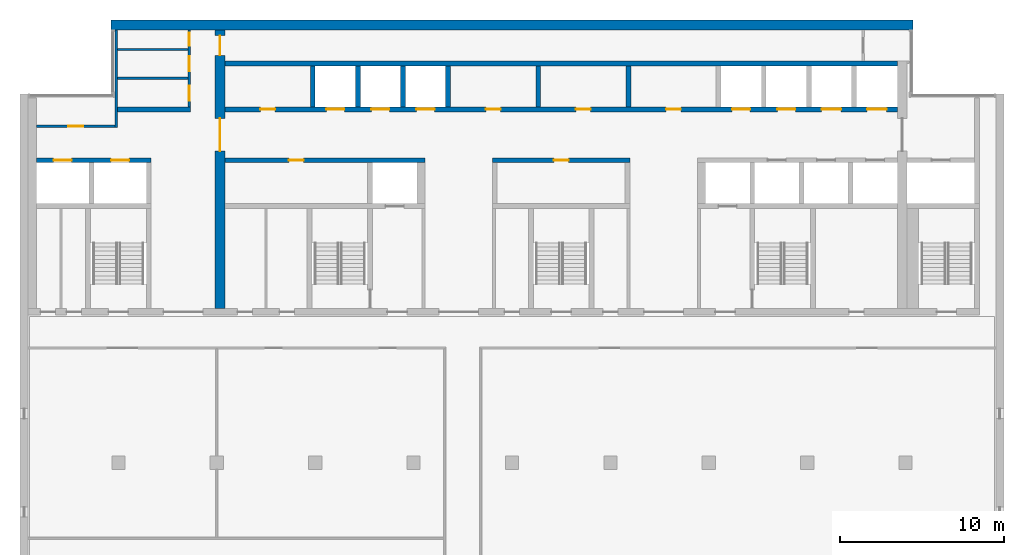
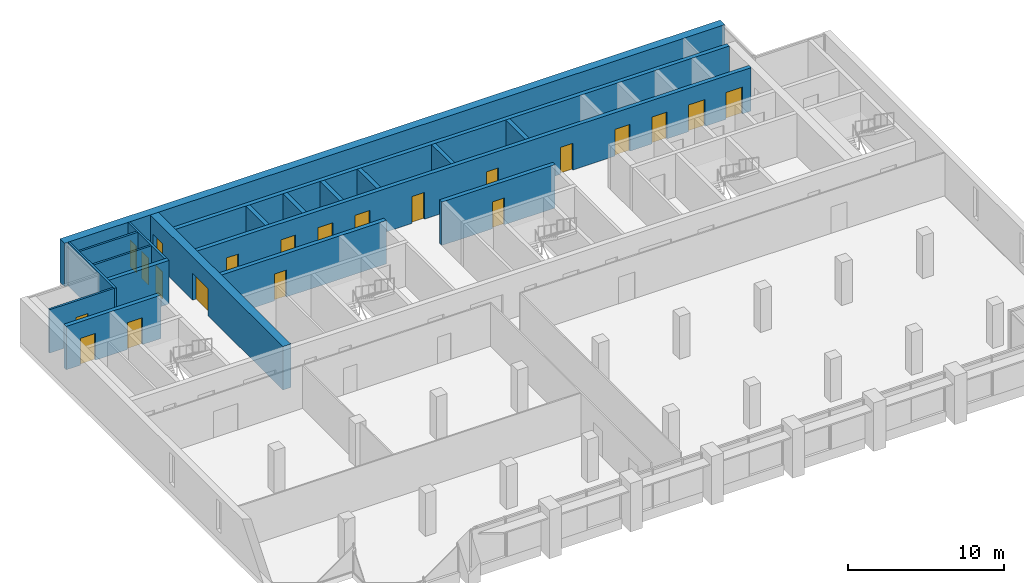
# One storey, part 10 of 14: 21 doors, 19 walls, 21 openings.
"""IFC4 building model written with IfcOpenShell, lengths in metres."""

import ifcopenshell
import ifcopenshell.guid

model = None  # the IFC model being written
_history = None  # IfcOwnerHistory: only IFC2X3 demands one
_inside = {}  # id of a spatial element -> (the spatial element, [elements in it])
_under = {}  # id of a project, library or spatial element -> (it, [spatial elements below it])
_declared = {}  # id of a project -> (the project, [libraries it declares])
_typed = {}  # id of a type object -> (the type object, [elements of that type])
_made_of = {}  # id of a material, layer set ... -> (it, [elements and type objects made of it])


def new_model(schema):
    """Start an empty IFC model of exactly this schema.

    Asked for "IFC4X3", IfcOpenShell would pick the latest addendum, in which some entities
    have other attributes; the version numbers below select the first issue.
    IFC2X3 requires an IfcOwnerHistory on every rooted entity: one is made here for all.
    """
    global model, _history
    if schema == "IFC4X3":
        model = ifcopenshell.file(schema_version=(4, 3, 0, 0))
    else:
        model = ifcopenshell.file(schema=schema)
    _inside.clear()
    _under.clear()
    _declared.clear()
    _typed.clear()
    _made_of.clear()
    _history = None
    if model.schema == "IFC2X3":
        org = make("IfcOrganization", Name="unknown")
        user = make(
            "IfcPersonAndOrganization",
            ThePerson=make("IfcPerson", FamilyName="unknown"),
            TheOrganization=org,
        )
        app = make(
            "IfcApplication",
            ApplicationDeveloper=org,
            Version="unknown",
            ApplicationFullName="unknown",
            ApplicationIdentifier="unknown",
        )
        _history = make(
            "IfcOwnerHistory",
            OwningUser=user,
            OwningApplication=app,
            ChangeAction="ADDED",
            CreationDate=0,
        )
    return model


def make(cls, **values):
    """One entity of the class cls with the attributes given. An attribute that is None is left unset."""
    return model.create_entity(
        cls, **{name: value for name, value in values.items() if value is not None}
    )


def rooted(cls, **values):
    """An entity with a GlobalId (a new one), such as an element, a storey or a relation."""
    return make(cls, GlobalId=ifcopenshell.guid.new(), OwnerHistory=_history, **values)


def si_unit(unit_type, name, prefix=None):
    """IfcSIUnit, for example si_unit("LENGTHUNIT", "METRE", prefix="MILLI")."""
    return make("IfcSIUnit", UnitType=unit_type, Prefix=prefix, Name=name)


def assignment(units):
    """IfcUnitAssignment: the units of a project."""
    return None if units is None else make("IfcUnitAssignment", Units=units)


def point(xyz):
    """IfcCartesianPoint."""
    return None if xyz is None else make("IfcCartesianPoint", Coordinates=xyz)


def direction(xyz):
    """IfcDirection."""
    return None if xyz is None else make("IfcDirection", DirectionRatios=xyz)


def frame(location, z_axis=None, x_axis=None):
    """IfcAxis2Placement3D, a coordinate frame: its origin and axes. An axis left out is left unset."""
    return make(
        "IfcAxis2Placement3D",
        Location=point(location),
        Axis=direction(z_axis),
        RefDirection=direction(x_axis),
    )


def frame_2d(location, x_axis=None):
    """IfcAxis2Placement2D, a coordinate frame in the plane: its origin and x axis."""
    return make(
        "IfcAxis2Placement2D", Location=point(location), RefDirection=direction(x_axis)
    )


def origin():
    """The frame at (0, 0, 0) with its axes left unset."""
    return frame((0.0, 0.0, 0.0))


def place(relative_to, where):
    """IfcLocalPlacement: puts the frame where relative to a parent placement (None: the world)."""
    return make(
        "IfcLocalPlacement", PlacementRelTo=relative_to, RelativePlacement=where
    )


def context(
    kind, dimensions, precision=None, world=None, true_north=None, identifier=None
):
    """IfcGeometricRepresentationContext, for example the 3D "Model" context."""
    return make(
        "IfcGeometricRepresentationContext",
        ContextIdentifier=identifier,
        ContextType=kind,
        CoordinateSpaceDimension=dimensions,
        Precision=precision,
        WorldCoordinateSystem=world,
        TrueNorth=true_north,
    )


def subcontext(parent, identifier, kind, view, scale=None):
    """IfcGeometricRepresentationSubContext, for example "Body" below "Model"."""
    return make(
        "IfcGeometricRepresentationSubContext",
        ContextIdentifier=identifier,
        ContextType=kind,
        ParentContext=parent,
        TargetScale=scale,
        TargetView=view,
    )


def project(units=None, contexts=None):
    """IfcProject with its units and contexts."""
    return rooted(
        "IfcProject",
        Name="project",
        RepresentationContexts=contexts,
        UnitsInContext=assignment(units),
    )


def spatial(cls, under=None, at=None, **own):
    """A site, building, storey or space (cls), placed at a placement, below another one or the project."""
    s = rooted(cls, ObjectPlacement=at, **own)
    if under is not None:
        _under.setdefault(under.id(), (under, []))[1].append(s)
    return s


def profile(cls, at=None, kind="AREA", **sizes):
    """A parametric profile (cls). Its sizes go by their IFC names, for example OverallWidth=200.0."""
    return make(cls, ProfileType=kind, Position=at, **sizes)


def rectangle(**sizes):
    """IfcRectangleProfileDef."""
    return profile("IfcRectangleProfileDef", **sizes)


def extrude(swept, where, along, depth):
    """IfcExtrudedAreaSolid: the profile swept, set in the frame where, extruded along a direction by depth."""
    return make(
        "IfcExtrudedAreaSolid",
        SweptArea=swept,
        Position=where,
        ExtrudedDirection=direction(along),
        Depth=depth,
    )


def shape(context_of_items, identifier, shape_type, items):
    """IfcShapeRepresentation: the items that make up one representation, for example the "Body"."""
    return make(
        "IfcShapeRepresentation",
        ContextOfItems=context_of_items,
        RepresentationIdentifier=identifier,
        RepresentationType=shape_type,
        Items=items,
    )


def material(Name=None, Category=None):
    """IfcMaterial."""
    return make("IfcMaterial", Name=Name, Category=Category)


def layer(
    of_material, thickness, ventilated=None, Name=None, Category=None, Priority=None
):
    """IfcMaterialLayer: one layer of a wall or slab, of a material (None: an air gap)."""
    return make(
        "IfcMaterialLayer",
        Material=of_material,
        LayerThickness=thickness,
        IsVentilated=ventilated,
        Name=Name,
        Category=Category,
        Priority=Priority,
    )


def layer_set(layers, Name=None):
    """IfcMaterialLayerSet."""
    return make("IfcMaterialLayerSet", MaterialLayers=layers, LayerSetName=Name)


def made_of(thing, what):
    """Note that an element or type object is made of a material, layer set ...; save() writes the relation."""
    if what is not None:
        _made_of.setdefault(what.id(), (what, []))[1].append(thing)
    return thing


def type_object(cls, material=None, **own):
    """A type object (cls), such as IfcWallType, which elements share."""
    return made_of(rooted(cls, **own), material)


def element(
    cls,
    number,
    at=None,
    inside=None,
    cuts=None,
    type_object=None,
    material=None,
    context=None,
    identifier="Body",
    shape_type=None,
    held_by="IfcProductDefinitionShape",
    body=None,
    shapes=None,
    **own,
):
    """One element of the class cls, such as IfcWall. Its Tag is "e" and its number.

    at: its placement. inside: the storey or other place that contains it. cuts: it is an
    opening in that element (IfcRelVoidsElement). A single representation is given by context,
    identifier, shape_type and body (its items); several are given by shapes. held_by: the class
    of the entity that holds the representations. save() writes the other relations.
    """
    e = rooted(cls, Tag="e%d" % number, ObjectPlacement=at, **own)
    if body is not None:
        shapes = [shape(context, identifier, shape_type, body)]
    if shapes is not None:
        e.Representation = make(held_by, Representations=shapes)
    if inside is not None:
        _inside.setdefault(inside.id(), (inside, []))[1].append(e)
    if cuts is not None:
        rooted(
            "IfcRelVoidsElement", RelatingBuildingElement=cuts, RelatedOpeningElement=e
        )
    if type_object is not None:
        _typed.setdefault(type_object.id(), (type_object, []))[1].append(e)
    return made_of(e, material)


def fill(opening, filler):
    """IfcRelFillsElement: the door or window that sits in an opening."""
    return rooted(
        "IfcRelFillsElement",
        RelatingOpeningElement=opening,
        RelatedBuildingElement=filler,
    )


def aggregate(whole, parts):
    """IfcRelAggregates: a whole, such as a stair, and the parts it consists of."""
    return rooted("IfcRelAggregates", RelatingObject=whole, RelatedObjects=parts)


def save(model, path):
    """Write the relations noted so far, then the file.

    IfcRelAggregates (storeys below a building ...), IfcRelContainedInSpatialStructure (elements
    in a storey), IfcRelDefinesByType, IfcRelAssociatesMaterial and IfcRelDeclares: one each for
    every whole, place, type object, material and project.
    """
    for whole, parts in _under.values():
        aggregate(whole, parts)
    for where, things in _inside.values():
        rooted(
            "IfcRelContainedInSpatialStructure",
            RelatedElements=things,
            RelatingStructure=where,
        )
    for kind, things in _typed.values():
        rooted("IfcRelDefinesByType", RelatedObjects=things, RelatingType=kind)
    for what, things in _made_of.values():
        rooted("IfcRelAssociatesMaterial", RelatedObjects=things, RelatingMaterial=what)
    for by, libraries in _declared.values():
        rooted("IfcRelDeclares", RelatingContext=by, RelatedDefinitions=libraries)
    model.write(path)


model = new_model("IFC4")

# Units and contexts
model_context = context("Model", 3, precision=1e-05, world=origin(), true_north=direction((0.0, 1.0)))
body_context = subcontext(model_context, "Body", "Model", "MODEL_VIEW")
ifc_project = project(units=[si_unit("LENGTHUNIT", "METRE"), si_unit("AREAUNIT", "SQUARE_METRE"), si_unit("VOLUMEUNIT", "CUBIC_METRE"), si_unit("PLANEANGLEUNIT", "RADIAN"), si_unit("MASSUNIT", "GRAM", prefix="KILO")], contexts=[model_context])

# Site, building, storey
site_placement = place(None, origin())
site = spatial("IfcSite", under=ifc_project, at=site_placement, CompositionType="ELEMENT")
building_placement = place(site_placement, origin())
building = spatial("IfcBuilding", under=site, at=building_placement, Name="Calvaro Tower", CompositionType="ELEMENT")
storey_placement = place(building_placement, frame((0.0, 0.0, 254.550048828125)))
storey = spatial("IfcBuildingStorey", under=building, at=storey_placement, Name="L64", CompositionType="ELEMENT", Elevation=254.550048828125)

# Walls
ifc_material_1 = material(Name="Blockwork partition", Category="masonry")
ifc_layer_1 = layer(ifc_material_1, 0.14990234375)
ifc_layer_set_1 = layer_set([ifc_layer_1], Name="Blockwork partition")
wall_type_1 = type_object("IfcWallType", Name="Core partition 150 EI 60", PredefinedType="PARTITIONING", material=ifc_layer_set_1)
for number, where, z_axis, x_axis, name in (
    (1, (11.949951171875, 42.449951171875, 0.0), (0.0, 0.0, 1.0), (1.0, 0.0, 0.0), "Core partition"),
    (2, (11.949951171875, 44.199951171875, 0.0), (0.0, 0.0, 1.0), (1.0, 0.0, 0.0), "Core partition"),
):
    element("IfcWall", number, at=place(storey_placement, frame(where, z_axis=z_axis, x_axis=x_axis)), inside=storey, type_object=wall_type_1, Name=name, PredefinedType="PARTITIONING", context=body_context, shape_type="SweptSolid", body=[
        extrude(rectangle(XDim=4.300048828125, YDim=0.14990234375, at=frame_2d((2.14990234375, 0.0))), origin(), (0.0, 0.0, 1.0), 3.39990234375),
    ])

# Wall, openings, doors
ifc_material_2 = material(Name="Blockwork partition", Category="masonry")
ifc_layer_2 = layer(ifc_material_2, 0.14990234375)
ifc_layer_set_2 = layer_set([ifc_layer_2], Name="Blockwork partition")
wall_type_2 = type_object("IfcWallType", Name="Core partition 150 REI 120", PredefinedType="PARTITIONING", material=ifc_layer_set_2)
wall_1_placement = place(storey_placement, frame((16.324951171875, 45.39990234375, 0.0), z_axis=(0.0, 0.0, 1.0), x_axis=(0.0, -1.0, 0.0)))
wall_1 = element("IfcWall", 3, at=wall_1_placement, inside=storey, type_object=wall_type_2, Name="Core partition", PredefinedType="PARTITIONING", context=body_context, shape_type="SweptSolid", body=[
    extrude(rectangle(XDim=4.699951171875, YDim=0.14990234375, at=frame_2d((2.35009765625, 0.0))), origin(), (0.0, 0.0, 1.0), 3.39990234375),
])
opening_1_placement = place(wall_1_placement, frame((3.41259765625, 0.0, 0.0)))
opening_1 = element("IfcOpeningElement", 4, at=opening_1_placement, cuts=wall_1, Name="Opening RD9", PredefinedType="OPENING", context=body_context, shape_type="SweptSolid", body=[
    extrude(rectangle(XDim=0.89990234375, YDim=2.10009765625, at=frame_2d((0.449951171875, 1.050048828125))), frame((0.0, 0.0849609375, 0.0), z_axis=(0.0, -1.0, 0.0), x_axis=(1.0, 0.0, 0.0)), (0.0, 0.0, 1.0), 0.169921875),
])
opening_2_placement = place(wall_1_placement, frame((1.625, 0.0, 0.0)))
opening_2 = element("IfcOpeningElement", 5, at=opening_2_placement, cuts=wall_1, Name="Opening RD9", PredefinedType="OPENING", context=body_context, shape_type="SweptSolid", body=[
    extrude(rectangle(XDim=0.89990234375, YDim=2.10009765625, at=frame_2d((0.449951171875, 1.050048828125))), frame((0.0, 0.0849609375, 0.0), z_axis=(0.0, -1.0, 0.0), x_axis=(1.0, 0.0, 0.0)), (0.0, 0.0, 1.0), 0.169921875),
])
opening_3_placement = place(wall_1_placement, frame((0.16259765625, 0.0, 0.0)))
opening_3 = element("IfcOpeningElement", 6, at=opening_3_placement, cuts=wall_1, Name="Opening RD8C", PredefinedType="OPENING", context=body_context, shape_type="SweptSolid", body=[
    extrude(rectangle(XDim=0.800048828125, YDim=2.10009765625, at=frame_2d((0.39990234375, 1.050048828125))), frame((0.0, 0.0849609375, 0.0), z_axis=(0.0, -1.0, 0.0), x_axis=(1.0, 0.0, 0.0)), (0.0, 0.0, 1.0), 0.169921875),
])
ifc_material_3 = material(Name="Steel door set", Category="steel")
door_type_1 = type_object("IfcDoorType", Name="Room door 800 FD30", OperationType="SINGLE_SWING_LEFT", PredefinedType="DOOR", material=ifc_material_3)
door_1_placement = place(opening_3_placement, origin())
door_1 = element("IfcDoor", 7, at=door_1_placement, inside=storey, type_object=door_type_1, Name="Room door", OperationType="SINGLE_SWING_RIGHT", OverallHeight=2.10009765625, OverallWidth=0.800048828125, PredefinedType="DOOR", context=body_context, shape_type="SweptSolid", body=[
    extrude(rectangle(XDim=0.800048828125, YDim=2.10009765625, at=frame_2d((0.39990234375, 1.050048828125))), frame((0.0, 0.02490234375, 0.0), z_axis=(0.0, -1.0, 0.0), x_axis=(1.0, 0.0, 0.0)), (0.0, 0.0, 1.0), 0.050048828125),
])
fill(opening_3, door_1)
ifc_material_4 = material(Name="Steel door set", Category="steel")
door_type_2 = type_object("IfcDoorType", Name="Room door 900", OperationType="SINGLE_SWING_LEFT", PredefinedType="DOOR", material=ifc_material_4)
door_2_placement = place(opening_1_placement, origin())
door_2 = element("IfcDoor", 8, at=door_2_placement, inside=storey, type_object=door_type_2, Name="Room door", OperationType="SINGLE_SWING_RIGHT", OverallHeight=2.10009765625, OverallWidth=0.89990234375, PredefinedType="DOOR", context=body_context, shape_type="SweptSolid", body=[
    extrude(rectangle(XDim=0.89990234375, YDim=2.10009765625, at=frame_2d((0.449951171875, 1.050048828125))), frame((0.0, 0.02490234375, 0.0), z_axis=(0.0, -1.0, 0.0), x_axis=(1.0, 0.0, 0.0)), (0.0, 0.0, 1.0), 0.050048828125),
])
fill(opening_1, door_2)
door_3_placement = place(opening_2_placement, origin())
door_3 = element("IfcDoor", 9, at=door_3_placement, inside=storey, type_object=door_type_2, Name="Room door", OperationType="SINGLE_SWING_LEFT", OverallHeight=2.10009765625, OverallWidth=0.89990234375, PredefinedType="DOOR", context=body_context, shape_type="SweptSolid", body=[
    extrude(rectangle(XDim=0.89990234375, YDim=2.10009765625, at=frame_2d((0.449951171875, 1.050048828125))), frame((0.0, 0.02490234375, 0.0), z_axis=(0.0, -1.0, 0.0), x_axis=(1.0, 0.0, 0.0)), (0.0, 0.0, 1.0), 0.050048828125),
])
fill(opening_2, door_3)

# Wall
wall_2_placement = place(storey_placement, frame((11.875, 39.449951171875, 0.0), z_axis=(0.0, 0.0, 1.0), x_axis=(0.0, 1.0, 0.0)))
element("IfcWall", 10, at=wall_2_placement, inside=storey, type_object=wall_type_2, Name="Core partition", PredefinedType="PARTITIONING", context=body_context, shape_type="SweptSolid", body=[
    extrude(rectangle(XDim=5.949951171875, YDim=0.14990234375, at=frame_2d((2.97509765625, 0.0))), origin(), (0.0, 0.0, 1.0), 3.39990234375),
])

# Wall, opening, door
wall_3_placement = place(storey_placement, frame((7.0, 39.52490234375, 0.0), z_axis=(0.0, 0.0, 1.0), x_axis=(1.0, 0.0, 0.0)))
wall_3 = element("IfcWall", 11, at=wall_3_placement, inside=storey, type_object=wall_type_2, Name="Core partition", PredefinedType="PARTITIONING", context=body_context, shape_type="SweptSolid", body=[
    extrude(rectangle(XDim=4.800048828125, YDim=0.14990234375, at=frame_2d((2.39990234375, 0.0))), origin(), (0.0, 0.0, 1.0), 3.39990234375),
])
opening_4_placement = place(wall_3_placement, frame((1.949951171875, 0.0, 0.0)))
opening_4 = element("IfcOpeningElement", 12, at=opening_4_placement, cuts=wall_3, Name="Opening RD9", PredefinedType="OPENING", context=body_context, shape_type="SweptSolid", body=[
    extrude(rectangle(XDim=0.89990234375, YDim=2.10009765625, at=frame_2d((0.449951171875, 1.050048828125))), frame((0.0, 0.0849609375, 0.0), z_axis=(0.0, -1.0, 0.0), x_axis=(1.0, 0.0, 0.0)), (0.0, 0.0, 1.0), 0.169921875),
])
door_4_placement = place(opening_4_placement, origin())
door_4 = element("IfcDoor", 13, at=door_4_placement, inside=storey, type_object=door_type_2, Name="Room door", OperationType="SINGLE_SWING_LEFT", OverallHeight=2.10009765625, OverallWidth=0.89990234375, PredefinedType="DOOR", context=body_context, shape_type="SweptSolid", body=[
    extrude(rectangle(XDim=0.89990234375, YDim=2.10009765625, at=frame_2d((0.449951171875, 1.050048828125))), frame((0.0, 0.02490234375, 0.0), z_axis=(0.0, -1.0, 0.0), x_axis=(1.0, 0.0, 0.0)), (0.0, 0.0, 1.0), 0.050048828125),
])
fill(opening_4, door_4)

# Walls
ifc_material_5 = material(Name="Blockwork partition", Category="masonry")
ifc_layer_3 = layer(ifc_material_5, 0.300048828125)
ifc_layer_set_3 = layer_set([ifc_layer_3], Name="Blockwork partition")
wall_type_3 = type_object("IfcWallType", Name="Core partition 300 EI 60", PredefinedType="PARTITIONING", material=ifc_layer_set_3)
wall_4_placement = place(storey_placement, frame((37.60009765625, 40.699951171875, 0.0), z_axis=(0.0, 0.0, 1.0), x_axis=(0.0, 1.0, 0.0)))
element("IfcWall", 14, at=wall_4_placement, inside=storey, type_object=wall_type_3, Name="Core partition", PredefinedType="PARTITIONING", context=body_context, shape_type="SweptSolid", body=[
    extrude(rectangle(XDim=2.5, YDim=0.300048828125, at=frame_2d((1.25, 0.0))), origin(), (0.0, 0.0, 1.0), 3.39990234375),
])
ifc_material_6 = material(Name="Blockwork partition", Category="masonry")
ifc_layer_4 = layer(ifc_material_6, 0.300048828125)
ifc_layer_set_4 = layer_set([ifc_layer_4], Name="Blockwork partition")
wall_type_4 = type_object("IfcWallType", Name="Core partition 300 REI 120", PredefinedType="PARTITIONING", material=ifc_layer_set_4)
wall_5_placement = place(storey_placement, frame((11.949951171875, 40.550048828125, 0.0), z_axis=(0.0, 0.0, 1.0), x_axis=(1.0, 0.0, 0.0)))
element("IfcWall", 15, at=wall_5_placement, inside=storey, type_object=wall_type_4, Name="Core partition", PredefinedType="PARTITIONING", context=body_context, shape_type="SweptSolid", body=[
    extrude(rectangle(XDim=4.449951171875, YDim=0.300048828125, at=frame_2d((2.22509765625, 0.0))), origin(), (0.0, 0.0, 1.0), 3.39990234375),
])
wall_6_placement = place(storey_placement, frame((43.10009765625, 40.699951171875, 0.0), z_axis=(0.0, 0.0, 1.0), x_axis=(0.0, 1.0, 0.0)))
element("IfcWall", 16, at=wall_6_placement, inside=storey, type_object=wall_type_4, Name="Core partition", PredefinedType="PARTITIONING", context=body_context, shape_type="SweptSolid", body=[
    extrude(rectangle(XDim=2.5, YDim=0.300048828125, at=frame_2d((1.25, 0.0))), origin(), (0.0, 0.0, 1.0), 3.39990234375),
])

# Wall, openings, doors
ifc_material_7 = material(Name="Concrete C40/50", Category="concrete")
ifc_layer_5 = layer(ifc_material_7, 0.300048828125)
ifc_layer_set_5 = layer_set([ifc_layer_5], Name="Concrete C40/50")
wall_type_5 = type_object("IfcWallType", Name="Core wall C40/50 300", PredefinedType="SHEAR", material=ifc_layer_set_5)
wall_7_placement = place(storey_placement, frame((7.0, 37.449951171875, 0.0), z_axis=(0.0, 0.0, 1.0), x_axis=(1.0, 0.0, 0.0)))
wall_7 = element("IfcWall", 17, at=wall_7_placement, inside=storey, type_object=wall_type_5, Name="Core wall, lift shaft", PredefinedType="SHEAR", context=body_context, shape_type="SweptSolid", body=[
    extrude(rectangle(XDim=7.0, YDim=0.300048828125, at=frame_2d((3.5, 0.0))), origin(), (0.0, 0.0, 1.0), 3.39990234375),
])
opening_5_placement = place(wall_7_placement, frame((1.050048828125, 0.0, 0.0)))
opening_5 = element("IfcOpeningElement", 18, at=opening_5_placement, cuts=wall_7, Name="Opening EX1", PredefinedType="OPENING", context=body_context, shape_type="SweptSolid", body=[
    extrude(rectangle(XDim=1.10009765625, YDim=2.10009765625, at=frame_2d((0.550048828125, 1.050048828125))), frame((0.0, 0.159912109375, 0.0), z_axis=(0.0, -1.0, 0.0), x_axis=(1.0, 0.0, 0.0)), (0.0, 0.0, 1.0), 0.320068359375),
])
opening_6_placement = place(wall_7_placement, frame((4.550048828125, 0.0, 0.0)))
opening_6 = element("IfcOpeningElement", 19, at=opening_6_placement, cuts=wall_7, Name="Opening EX2", PredefinedType="OPENING", context=body_context, shape_type="SweptSolid", body=[
    extrude(rectangle(XDim=1.10009765625, YDim=2.10009765625, at=frame_2d((0.550048828125, 1.050048828125))), frame((0.0, 0.159912109375, 0.0), z_axis=(0.0, -1.0, 0.0), x_axis=(1.0, 0.0, 0.0)), (0.0, 0.0, 1.0), 0.320068359375),
])
ifc_material_8 = material(Name="Stainless steel", Category="steel")
door_type_3 = type_object("IfcDoorType", Name="Landing door 1100 E 60", OperationType="SLIDING_TO_LEFT", PredefinedType="DOOR", material=ifc_material_8)
door_5_placement = place(opening_5_placement, origin())
door_5 = element("IfcDoor", 20, at=door_5_placement, inside=storey, type_object=door_type_3, Name="Landing door EX1", OperationType="SLIDING_TO_LEFT", OverallHeight=2.10009765625, OverallWidth=1.10009765625, PredefinedType="DOOR", context=body_context, shape_type="SweptSolid", body=[
    extrude(rectangle(XDim=1.10009765625, YDim=2.10009765625, at=frame_2d((0.550048828125, 1.050048828125))), frame((0.0, 0.02490234375, 0.0), z_axis=(0.0, -1.0, 0.0), x_axis=(1.0, 0.0, 0.0)), (0.0, 0.0, 1.0), 0.050048828125),
])
fill(opening_5, door_5)
door_6_placement = place(opening_6_placement, origin())
door_6 = element("IfcDoor", 21, at=door_6_placement, inside=storey, type_object=door_type_3, Name="Landing door EX2", OperationType="SLIDING_TO_LEFT", OverallHeight=2.10009765625, OverallWidth=1.10009765625, PredefinedType="DOOR", context=body_context, shape_type="SweptSolid", body=[
    extrude(rectangle(XDim=1.10009765625, YDim=2.10009765625, at=frame_2d((0.550048828125, 1.050048828125))), frame((0.0, 0.02490234375, 0.0), z_axis=(0.0, -1.0, 0.0), x_axis=(1.0, 0.0, 0.0)), (0.0, 0.0, 1.0), 0.050048828125),
])
fill(opening_6, door_6)

# Wall, opening, door
wall_8_placement = place(storey_placement, frame((30.699951171875, 37.449951171875, 0.0), z_axis=(0.0, 0.0, 1.0), x_axis=(-1.0, 0.0, 0.0)))
wall_8 = element("IfcWall", 22, at=wall_8_placement, inside=storey, type_object=wall_type_5, Name="Core wall, bay", PredefinedType="SHEAR", context=body_context, shape_type="SweptSolid", body=[
    extrude(rectangle(XDim=12.199951171875, YDim=0.300048828125, at=frame_2d((6.10009765625, 0.0))), origin(), (0.0, 0.0, 1.0), 3.39990234375),
])
opening_7_placement = place(wall_8_placement, frame((7.39990234375, 0.0, 0.0)))
opening_7 = element("IfcOpeningElement", 23, at=opening_7_placement, cuts=wall_8, Name="Opening RD9E", PredefinedType="OPENING", context=body_context, shape_type="SweptSolid", body=[
    extrude(rectangle(XDim=0.89990234375, YDim=2.10009765625, at=frame_2d((0.449951171875, 1.050048828125))), frame((0.0, 0.159912109375, 0.0), z_axis=(0.0, -1.0, 0.0), x_axis=(1.0, 0.0, 0.0)), (0.0, 0.0, 1.0), 0.320068359375),
])
ifc_material_9 = material(Name="Steel door set", Category="steel")
door_type_4 = type_object("IfcDoorType", Name="Room door 900 FD60", OperationType="SINGLE_SWING_LEFT", PredefinedType="DOOR", material=ifc_material_9)
door_7_placement = place(opening_7_placement, origin())
door_7 = element("IfcDoor", 24, at=door_7_placement, inside=storey, type_object=door_type_4, Name="Room door", OperationType="SINGLE_SWING_LEFT", OverallHeight=2.10009765625, OverallWidth=0.89990234375, PredefinedType="DOOR", context=body_context, shape_type="SweptSolid", body=[
    extrude(rectangle(XDim=0.89990234375, YDim=2.10009765625, at=frame_2d((0.449951171875, 1.050048828125))), frame((0.0, 0.02490234375, 0.0), z_axis=(0.0, -1.0, 0.0), x_axis=(1.0, 0.0, 0.0)), (0.0, 0.0, 1.0), 0.050048828125),
])
fill(opening_7, door_7)

wall_9_placement = place(storey_placement, frame((43.199951171875, 37.449951171875, 0.0), z_axis=(0.0, 0.0, 1.0), x_axis=(-1.0, 0.0, 0.0)))
wall_9 = element("IfcWall", 25, at=wall_9_placement, inside=storey, type_object=wall_type_5, Name="Core wall, bay", PredefinedType="SHEAR", context=body_context, shape_type="SweptSolid", body=[
    extrude(rectangle(XDim=8.39990234375, YDim=0.300048828125, at=frame_2d((4.199951171875, 0.0))), origin(), (0.0, 0.0, 1.0), 3.39990234375),
])
opening_8_placement = place(wall_9_placement, frame((3.75, 0.0, 0.0)))
opening_8 = element("IfcOpeningElement", 26, at=opening_8_placement, cuts=wall_9, Name="Opening RD9C", PredefinedType="OPENING", context=body_context, shape_type="SweptSolid", body=[
    extrude(rectangle(XDim=0.89990234375, YDim=2.10009765625, at=frame_2d((0.449951171875, 1.050048828125))), frame((0.0, 0.159912109375, 0.0), z_axis=(0.0, -1.0, 0.0), x_axis=(1.0, 0.0, 0.0)), (0.0, 0.0, 1.0), 0.320068359375),
])
ifc_material_10 = material(Name="Steel door set", Category="steel")
door_type_5 = type_object("IfcDoorType", Name="Room door 900 FD30", OperationType="SINGLE_SWING_LEFT", PredefinedType="DOOR", material=ifc_material_10)
door_8_placement = place(opening_8_placement, origin())
door_8 = element("IfcDoor", 27, at=door_8_placement, inside=storey, type_object=door_type_5, Name="Room door", OperationType="SINGLE_SWING_RIGHT", OverallHeight=2.10009765625, OverallWidth=0.89990234375, PredefinedType="DOOR", context=body_context, shape_type="SweptSolid", body=[
    extrude(rectangle(XDim=0.89990234375, YDim=2.10009765625, at=frame_2d((0.449951171875, 1.050048828125))), frame((0.0, 0.02490234375, 0.0), z_axis=(0.0, -1.0, 0.0), x_axis=(1.0, 0.0, 0.0)), (0.0, 0.0, 1.0), 0.050048828125),
])
fill(opening_8, door_8)

# Wall, openings, doors
wall_10_placement = place(storey_placement, frame((18.5, 40.550048828125, 0.0), z_axis=(0.0, 0.0, 1.0), x_axis=(1.0, 0.0, 0.0)))
wall_10 = element("IfcWall", 28, at=wall_10_placement, inside=storey, type_object=wall_type_5, Name="Core wall, bay", PredefinedType="SHEAR", context=body_context, shape_type="SweptSolid", body=[
    extrude(rectangle(XDim=41.0, YDim=0.300048828125, at=frame_2d((20.5, 0.0))), origin(), (0.0, 0.0, 1.0), 3.39990234375),
])
opening_9_placement = place(wall_10_placement, frame((2.14990234375, 0.0, 0.0)))
opening_9 = element("IfcOpeningElement", 29, at=opening_9_placement, cuts=wall_10, Name="Opening RD9C", PredefinedType="OPENING", context=body_context, shape_type="SweptSolid", body=[
    extrude(rectangle(XDim=0.89990234375, YDim=2.10009765625, at=frame_2d((0.449951171875, 1.050048828125))), frame((0.0, 0.159912109375, 0.0), z_axis=(0.0, -1.0, 0.0), x_axis=(1.0, 0.0, 0.0)), (0.0, 0.0, 1.0), 0.320068359375),
])
opening_10_placement = place(wall_10_placement, frame((15.89990234375, 0.0, 0.0)))
opening_10 = element("IfcOpeningElement", 30, at=opening_10_placement, cuts=wall_10, Name="Opening RD9E", PredefinedType="OPENING", context=body_context, shape_type="SweptSolid", body=[
    extrude(rectangle(XDim=0.89990234375, YDim=2.10009765625, at=frame_2d((0.449951171875, 1.050048828125))), frame((0.0, 0.159912109375, 0.0), z_axis=(0.0, -1.0, 0.0), x_axis=(1.0, 0.0, 0.0)), (0.0, 0.0, 1.0), 0.320068359375),
])
opening_11_placement = place(wall_10_placement, frame((21.39990234375, 0.0, 0.0)))
opening_11 = element("IfcOpeningElement", 31, at=opening_11_placement, cuts=wall_10, Name="Opening RD9C", PredefinedType="OPENING", context=body_context, shape_type="SweptSolid", body=[
    extrude(rectangle(XDim=0.89990234375, YDim=2.10009765625, at=frame_2d((0.449951171875, 1.050048828125))), frame((0.0, 0.159912109375, 0.0), z_axis=(0.0, -1.0, 0.0), x_axis=(1.0, 0.0, 0.0)), (0.0, 0.0, 1.0), 0.320068359375),
])
opening_12_placement = place(wall_10_placement, frame((26.89990234375, 0.0, 0.0)))
opening_12 = element("IfcOpeningElement", 32, at=opening_12_placement, cuts=wall_10, Name="Opening RD9E", PredefinedType="OPENING", context=body_context, shape_type="SweptSolid", body=[
    extrude(rectangle(XDim=0.89990234375, YDim=2.10009765625, at=frame_2d((0.449951171875, 1.050048828125))), frame((0.0, 0.159912109375, 0.0), z_axis=(0.0, -1.0, 0.0), x_axis=(1.0, 0.0, 0.0)), (0.0, 0.0, 1.0), 0.320068359375),
])
opening_13_placement = place(wall_10_placement, frame((6.175048828125, 0.0, 0.0)))
opening_13 = element("IfcOpeningElement", 33, at=opening_13_placement, cuts=wall_10, Name="Opening HR4", PredefinedType="OPENING", context=body_context, shape_type="SweptSolid", body=[
    extrude(rectangle(XDim=1.10009765625, YDim=2.10009765625, at=frame_2d((0.550048828125, 1.050048828125))), frame((0.0, 0.159912109375, 0.0), z_axis=(0.0, -1.0, 0.0), x_axis=(1.0, 0.0, 0.0)), (0.0, 0.0, 1.0), 0.320068359375),
])
opening_14_placement = place(wall_10_placement, frame((8.925048828125, 0.0, 0.0)))
opening_14 = element("IfcOpeningElement", 34, at=opening_14_placement, cuts=wall_10, Name="Opening HR5", PredefinedType="OPENING", context=body_context, shape_type="SweptSolid", body=[
    extrude(rectangle(XDim=1.10009765625, YDim=2.10009765625, at=frame_2d((0.550048828125, 1.050048828125))), frame((0.0, 0.159912109375, 0.0), z_axis=(0.0, -1.0, 0.0), x_axis=(1.0, 0.0, 0.0)), (0.0, 0.0, 1.0), 0.320068359375),
])
opening_15_placement = place(wall_10_placement, frame((11.675048828125, 0.0, 0.0)))
opening_15 = element("IfcOpeningElement", 35, at=opening_15_placement, cuts=wall_10, Name="Opening HR6", PredefinedType="OPENING", context=body_context, shape_type="SweptSolid", body=[
    extrude(rectangle(XDim=1.10009765625, YDim=2.10009765625, at=frame_2d((0.550048828125, 1.050048828125))), frame((0.0, 0.159912109375, 0.0), z_axis=(0.0, -1.0, 0.0), x_axis=(1.0, 0.0, 0.0)), (0.0, 0.0, 1.0), 0.320068359375),
])
opening_16_placement = place(wall_10_placement, frame((30.925048828125, 0.0, 0.0)))
opening_16 = element("IfcOpeningElement", 36, at=opening_16_placement, cuts=wall_10, Name="Opening HR7", PredefinedType="OPENING", context=body_context, shape_type="SweptSolid", body=[
    extrude(rectangle(XDim=1.10009765625, YDim=2.10009765625, at=frame_2d((0.550048828125, 1.050048828125))), frame((0.0, 0.159912109375, 0.0), z_axis=(0.0, -1.0, 0.0), x_axis=(1.0, 0.0, 0.0)), (0.0, 0.0, 1.0), 0.320068359375),
])
opening_17_placement = place(wall_10_placement, frame((33.675048828125, 0.0, 0.0)))
opening_17 = element("IfcOpeningElement", 37, at=opening_17_placement, cuts=wall_10, Name="Opening HR8", PredefinedType="OPENING", context=body_context, shape_type="SweptSolid", body=[
    extrude(rectangle(XDim=1.10009765625, YDim=2.10009765625, at=frame_2d((0.550048828125, 1.050048828125))), frame((0.0, 0.159912109375, 0.0), z_axis=(0.0, -1.0, 0.0), x_axis=(1.0, 0.0, 0.0)), (0.0, 0.0, 1.0), 0.320068359375),
])
opening_18_placement = place(wall_10_placement, frame((36.375, 0.0, 0.0)))
opening_18 = element("IfcOpeningElement", 38, at=opening_18_placement, cuts=wall_10, Name="Opening SV1", PredefinedType="OPENING", context=body_context, shape_type="SweptSolid", body=[
    extrude(rectangle(XDim=1.199951171875, YDim=2.10009765625, at=frame_2d((0.60009765625, 1.050048828125))), frame((0.0, 0.159912109375, 0.0), z_axis=(0.0, -1.0, 0.0), x_axis=(1.0, 0.0, 0.0)), (0.0, 0.0, 1.0), 0.320068359375),
])
opening_19_placement = place(wall_10_placement, frame((39.14990234375, 0.0, 0.0)))
opening_19 = element("IfcOpeningElement", 39, at=opening_19_placement, cuts=wall_10, Name="Opening SV2", PredefinedType="OPENING", context=body_context, shape_type="SweptSolid", body=[
    extrude(rectangle(XDim=1.199951171875, YDim=2.10009765625, at=frame_2d((0.60009765625, 1.050048828125))), frame((0.0, 0.159912109375, 0.0), z_axis=(0.0, -1.0, 0.0), x_axis=(1.0, 0.0, 0.0)), (0.0, 0.0, 1.0), 0.320068359375),
])
door_9_placement = place(opening_13_placement, origin())
door_9 = element("IfcDoor", 40, at=door_9_placement, inside=storey, type_object=door_type_3, Name="Landing door HR4", OperationType="SLIDING_TO_LEFT", OverallHeight=2.10009765625, OverallWidth=1.10009765625, PredefinedType="DOOR", context=body_context, shape_type="SweptSolid", body=[
    extrude(rectangle(XDim=1.10009765625, YDim=2.10009765625, at=frame_2d((0.550048828125, 1.050048828125))), frame((0.0, 0.02490234375, 0.0), z_axis=(0.0, -1.0, 0.0), x_axis=(1.0, 0.0, 0.0)), (0.0, 0.0, 1.0), 0.050048828125),
])
fill(opening_13, door_9)
door_10_placement = place(opening_14_placement, origin())
door_10 = element("IfcDoor", 41, at=door_10_placement, inside=storey, type_object=door_type_3, Name="Landing door HR5", OperationType="SLIDING_TO_LEFT", OverallHeight=2.10009765625, OverallWidth=1.10009765625, PredefinedType="DOOR", context=body_context, shape_type="SweptSolid", body=[
    extrude(rectangle(XDim=1.10009765625, YDim=2.10009765625, at=frame_2d((0.550048828125, 1.050048828125))), frame((0.0, 0.02490234375, 0.0), z_axis=(0.0, -1.0, 0.0), x_axis=(1.0, 0.0, 0.0)), (0.0, 0.0, 1.0), 0.050048828125),
])
fill(opening_14, door_10)
door_11_placement = place(opening_15_placement, origin())
door_11 = element("IfcDoor", 42, at=door_11_placement, inside=storey, type_object=door_type_3, Name="Landing door HR6", OperationType="SLIDING_TO_LEFT", OverallHeight=2.10009765625, OverallWidth=1.10009765625, PredefinedType="DOOR", context=body_context, shape_type="SweptSolid", body=[
    extrude(rectangle(XDim=1.10009765625, YDim=2.10009765625, at=frame_2d((0.550048828125, 1.050048828125))), frame((0.0, 0.02490234375, 0.0), z_axis=(0.0, -1.0, 0.0), x_axis=(1.0, 0.0, 0.0)), (0.0, 0.0, 1.0), 0.050048828125),
])
fill(opening_15, door_11)
door_12_placement = place(opening_16_placement, origin())
door_12 = element("IfcDoor", 43, at=door_12_placement, inside=storey, type_object=door_type_3, Name="Landing door HR7", OperationType="SLIDING_TO_LEFT", OverallHeight=2.10009765625, OverallWidth=1.10009765625, PredefinedType="DOOR", context=body_context, shape_type="SweptSolid", body=[
    extrude(rectangle(XDim=1.10009765625, YDim=2.10009765625, at=frame_2d((0.550048828125, 1.050048828125))), frame((0.0, 0.02490234375, 0.0), z_axis=(0.0, -1.0, 0.0), x_axis=(1.0, 0.0, 0.0)), (0.0, 0.0, 1.0), 0.050048828125),
])
fill(opening_16, door_12)
door_13_placement = place(opening_17_placement, origin())
door_13 = element("IfcDoor", 44, at=door_13_placement, inside=storey, type_object=door_type_3, Name="Landing door HR8", OperationType="SLIDING_TO_LEFT", OverallHeight=2.10009765625, OverallWidth=1.10009765625, PredefinedType="DOOR", context=body_context, shape_type="SweptSolid", body=[
    extrude(rectangle(XDim=1.10009765625, YDim=2.10009765625, at=frame_2d((0.550048828125, 1.050048828125))), frame((0.0, 0.02490234375, 0.0), z_axis=(0.0, -1.0, 0.0), x_axis=(1.0, 0.0, 0.0)), (0.0, 0.0, 1.0), 0.050048828125),
])
fill(opening_17, door_13)
ifc_material_11 = material(Name="Stainless steel", Category="steel")
door_type_6 = type_object("IfcDoorType", Name="Landing door 1200 E 60", OperationType="SLIDING_TO_LEFT", PredefinedType="DOOR", material=ifc_material_11)
door_14_placement = place(opening_18_placement, origin())
door_14 = element("IfcDoor", 45, at=door_14_placement, inside=storey, type_object=door_type_6, Name="Landing door SV1", OperationType="SLIDING_TO_LEFT", OverallHeight=2.10009765625, OverallWidth=1.199951171875, PredefinedType="DOOR", context=body_context, shape_type="SweptSolid", body=[
    extrude(rectangle(XDim=1.199951171875, YDim=2.10009765625, at=frame_2d((0.60009765625, 1.050048828125))), frame((0.0, 0.02490234375, 0.0), z_axis=(0.0, -1.0, 0.0), x_axis=(1.0, 0.0, 0.0)), (0.0, 0.0, 1.0), 0.050048828125),
])
fill(opening_18, door_14)
door_15_placement = place(opening_19_placement, origin())
door_15 = element("IfcDoor", 46, at=door_15_placement, inside=storey, type_object=door_type_6, Name="Landing door SV2", OperationType="SLIDING_TO_LEFT", OverallHeight=2.10009765625, OverallWidth=1.199951171875, PredefinedType="DOOR", context=body_context, shape_type="SweptSolid", body=[
    extrude(rectangle(XDim=1.199951171875, YDim=2.10009765625, at=frame_2d((0.60009765625, 1.050048828125))), frame((0.0, 0.02490234375, 0.0), z_axis=(0.0, -1.0, 0.0), x_axis=(1.0, 0.0, 0.0)), (0.0, 0.0, 1.0), 0.050048828125),
])
fill(opening_19, door_15)
door_16_placement = place(opening_9_placement, origin())
door_16 = element("IfcDoor", 47, at=door_16_placement, inside=storey, type_object=door_type_5, Name="Room door", OperationType="SINGLE_SWING_RIGHT", OverallHeight=2.10009765625, OverallWidth=0.89990234375, PredefinedType="DOOR", context=body_context, shape_type="SweptSolid", body=[
    extrude(rectangle(XDim=0.89990234375, YDim=2.10009765625, at=frame_2d((0.449951171875, 1.050048828125))), frame((0.0, 0.02490234375, 0.0), z_axis=(0.0, -1.0, 0.0), x_axis=(1.0, 0.0, 0.0)), (0.0, 0.0, 1.0), 0.050048828125),
])
fill(opening_9, door_16)
door_17_placement = place(opening_11_placement, origin())
door_17 = element("IfcDoor", 48, at=door_17_placement, inside=storey, type_object=door_type_5, Name="Room door", OperationType="SINGLE_SWING_LEFT", OverallHeight=2.10009765625, OverallWidth=0.89990234375, PredefinedType="DOOR", context=body_context, shape_type="SweptSolid", body=[
    extrude(rectangle(XDim=0.89990234375, YDim=2.10009765625, at=frame_2d((0.449951171875, 1.050048828125))), frame((0.0, 0.02490234375, 0.0), z_axis=(0.0, -1.0, 0.0), x_axis=(1.0, 0.0, 0.0)), (0.0, 0.0, 1.0), 0.050048828125),
])
fill(opening_11, door_17)
door_18_placement = place(opening_10_placement, origin())
door_18 = element("IfcDoor", 49, at=door_18_placement, inside=storey, type_object=door_type_4, Name="Room door", OperationType="SINGLE_SWING_LEFT", OverallHeight=2.10009765625, OverallWidth=0.89990234375, PredefinedType="DOOR", context=body_context, shape_type="SweptSolid", body=[
    extrude(rectangle(XDim=0.89990234375, YDim=2.10009765625, at=frame_2d((0.449951171875, 1.050048828125))), frame((0.0, 0.02490234375, 0.0), z_axis=(0.0, -1.0, 0.0), x_axis=(1.0, 0.0, 0.0)), (0.0, 0.0, 1.0), 0.050048828125),
])
fill(opening_10, door_18)
door_19_placement = place(opening_12_placement, origin())
door_19 = element("IfcDoor", 50, at=door_19_placement, inside=storey, type_object=door_type_4, Name="Room door", OperationType="SINGLE_SWING_LEFT", OverallHeight=2.10009765625, OverallWidth=0.89990234375, PredefinedType="DOOR", context=body_context, shape_type="SweptSolid", body=[
    extrude(rectangle(XDim=0.89990234375, YDim=2.10009765625, at=frame_2d((0.449951171875, 1.050048828125))), frame((0.0, 0.02490234375, 0.0), z_axis=(0.0, -1.0, 0.0), x_axis=(1.0, 0.0, 0.0)), (0.0, 0.0, 1.0), 0.050048828125),
])
fill(opening_12, door_19)

# Walls
wall_11_placement = place(storey_placement, frame((18.5, 43.35009765625, 0.0), z_axis=(0.0, 0.0, 1.0), x_axis=(1.0, 0.0, 0.0)))
element("IfcWall", 51, at=wall_11_placement, inside=storey, type_object=wall_type_5, Name="Core wall, lift shaft", PredefinedType="SHEAR", context=body_context, shape_type="SweptSolid", body=[
    extrude(rectangle(XDim=41.0, YDim=0.300048828125, at=frame_2d((20.5, 0.0))), origin(), (0.0, 0.0, 1.0), 3.39990234375),
])
for number, where, z_axis, x_axis, name in (
    (52, (23.85009765625, 40.699951171875, 0.0), (0.0, 0.0, 1.0), (0.0, 1.0, 0.0), "Core wall, lift shaft"),
    (53, (26.60009765625, 40.699951171875, 0.0), (0.0, 0.0, 1.0), (0.0, 1.0, 0.0), "Core wall, lift shaft"),
    (54, (29.35009765625, 40.699951171875, 0.0), (0.0, 0.0, 1.0), (0.0, 1.0, 0.0), "Core wall, lift shaft"),
    (55, (32.10009765625, 40.699951171875, 0.0), (0.0, 0.0, 1.0), (0.0, 1.0, 0.0), "Core wall, lift shaft"),
):
    element("IfcWall", number, at=place(storey_placement, frame(where, z_axis=z_axis, x_axis=x_axis)), inside=storey, type_object=wall_type_5, Name=name, PredefinedType="SHEAR", context=body_context, shape_type="SweptSolid", body=[
        extrude(rectangle(XDim=2.5, YDim=0.300048828125, at=frame_2d((1.25, 0.0))), origin(), (0.0, 0.0, 1.0), 3.39990234375),
    ])

# Wall, openings, doors
ifc_material_12 = material(Name="Concrete C40/50", Category="concrete")
ifc_layer_6 = layer(ifc_material_12, 0.60009765625)
ifc_layer_set_6 = layer_set([ifc_layer_6], Name="Concrete C40/50")
wall_type_6 = type_object("IfcWallType", Name="Core wall C40/50 600", PredefinedType="SHEAR", material=ifc_layer_set_6)
wall_12_placement = place(storey_placement, frame((18.199951171875, 28.39990234375, 0.0), z_axis=(0.0, 0.0, 1.0), x_axis=(0.0, 1.0, 0.0)))
wall_12 = element("IfcWall", 56, at=wall_12_placement, inside=storey, type_object=wall_type_6, Name="Core wall, cross shear wall", PredefinedType="SHEAR", context=body_context, shape_type="SweptSolid", body=[
    extrude(rectangle(XDim=17.0, YDim=0.60009765625, at=frame_2d((8.5, 0.0))), origin(), (0.0, 0.0, 1.0), 3.39990234375),
])
opening_20_placement = place(wall_12_placement, frame((9.60009765625, 0.0, 0.0)))
opening_20 = element("IfcOpeningElement", 57, at=opening_20_placement, cuts=wall_12, Name="Opening DD20D", PredefinedType="OPENING", context=body_context, shape_type="SweptSolid", body=[
    extrude(rectangle(XDim=2.0, YDim=2.10009765625, at=frame_2d((1.0, 1.050048828125))), frame((0.0, 0.31005859375, 0.0), z_axis=(0.0, -1.0, 0.0), x_axis=(1.0, 0.0, 0.0)), (0.0, 0.0, 1.0), 0.6201171875),
])
opening_21_placement = place(wall_12_placement, frame((15.449951171875, 0.0, 0.0)))
opening_21 = element("IfcOpeningElement", 58, at=opening_21_placement, cuts=wall_12, Name="Opening FD12C", PredefinedType="OPENING", context=body_context, shape_type="SweptSolid", body=[
    extrude(rectangle(XDim=1.199951171875, YDim=2.10009765625, at=frame_2d((0.60009765625, 1.050048828125))), frame((0.0, 0.31005859375, 0.0), z_axis=(0.0, -1.0, 0.0), x_axis=(1.0, 0.0, 0.0)), (0.0, 0.0, 1.0), 0.6201171875),
])
ifc_material_13 = material(Name="Steel door set", Category="steel")
door_type_7 = type_object("IfcDoorType", Name="Fire door 1200 FD30", OperationType="SINGLE_SWING_LEFT", PredefinedType="DOOR", material=ifc_material_13)
door_20_placement = place(opening_21_placement, origin())
door_20 = element("IfcDoor", 59, at=door_20_placement, inside=storey, type_object=door_type_7, Name="Fire door", OperationType="SINGLE_SWING_RIGHT", OverallHeight=2.10009765625, OverallWidth=1.199951171875, PredefinedType="DOOR", context=body_context, shape_type="SweptSolid", body=[
    extrude(rectangle(XDim=1.199951171875, YDim=2.10009765625, at=frame_2d((0.60009765625, 1.050048828125))), frame((0.0, 0.02490234375, 0.0), z_axis=(0.0, -1.0, 0.0), x_axis=(1.0, 0.0, 0.0)), (0.0, 0.0, 1.0), 0.050048828125),
])
fill(opening_21, door_20)
ifc_material_14 = material(Name="Steel door set", Category="steel")
door_type_8 = type_object("IfcDoorType", Name="Lobby double door 2000 FD30S", OperationType="DOUBLE_DOOR_SINGLE_SWING", PredefinedType="DOOR", material=ifc_material_14)
door_21_placement = place(opening_20_placement, origin())
door_21 = element("IfcDoor", 60, at=door_21_placement, inside=storey, type_object=door_type_8, Name="Lobby double door", OperationType="DOUBLE_DOOR_SINGLE_SWING", OverallHeight=2.10009765625, OverallWidth=2.0, PredefinedType="DOOR", context=body_context, shape_type="SweptSolid", body=[
    extrude(rectangle(XDim=2.0, YDim=2.10009765625, at=frame_2d((1.0, 1.050048828125))), frame((0.0, 0.02490234375, 0.0), z_axis=(0.0, -1.0, 0.0), x_axis=(1.0, 0.0, 0.0)), (0.0, 0.0, 1.0), 0.050048828125),
])
fill(opening_20, door_21)

# Wall
ifc_material_15 = material(Name="Concrete C40/50", Category="concrete")
ifc_layer_7 = layer(ifc_material_15, 0.60009765625)
ifc_layer_set_7 = layer_set([ifc_layer_7], Name="Concrete C40/50")
wall_type_7 = type_object("IfcWallType", Name="Rear core wall 600 C40/50", PredefinedType="SHEAR", material=ifc_layer_set_7)
wall_13_placement = place(storey_placement, frame((11.550048828125, 45.699951171875, 0.0), z_axis=(0.0, 0.0, 1.0), x_axis=(1.0, 0.0, 0.0)))
element("IfcWall", 61, at=wall_13_placement, inside=storey, type_object=wall_type_7, Name="North core wall", PredefinedType="SHEAR", context=body_context, shape_type="SweptSolid", body=[
    extrude(rectangle(XDim=48.89990234375, YDim=0.60009765625, at=frame_2d((24.449951171875, 0.0))), origin(), (0.0, 0.0, 1.0), 3.39990234375),
])

save(model, "model.ifc")
